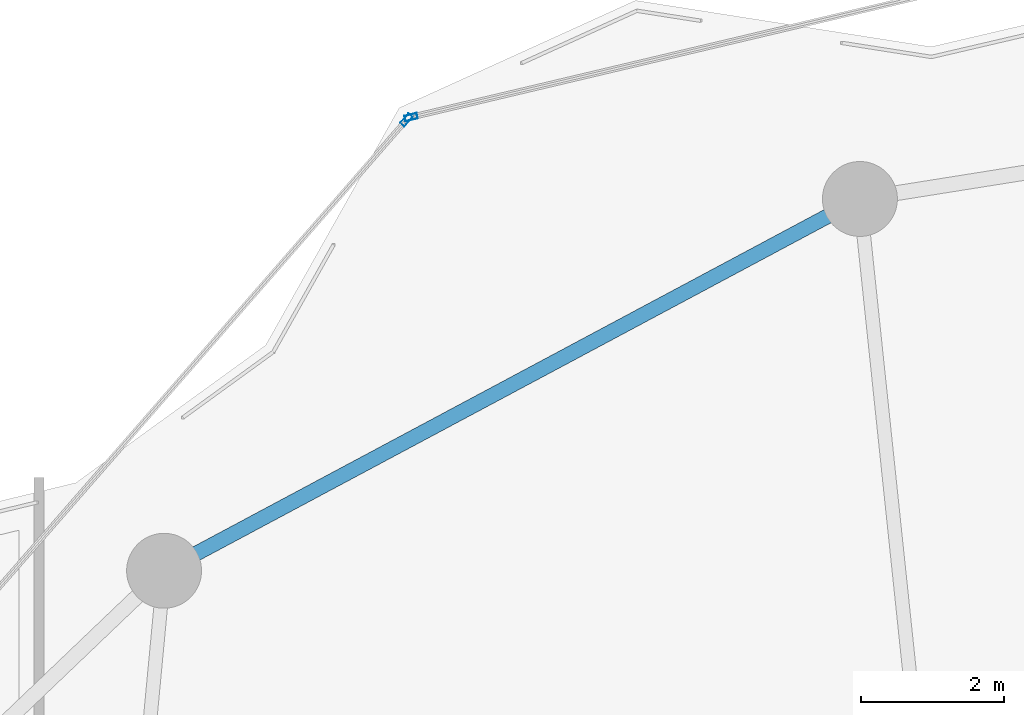
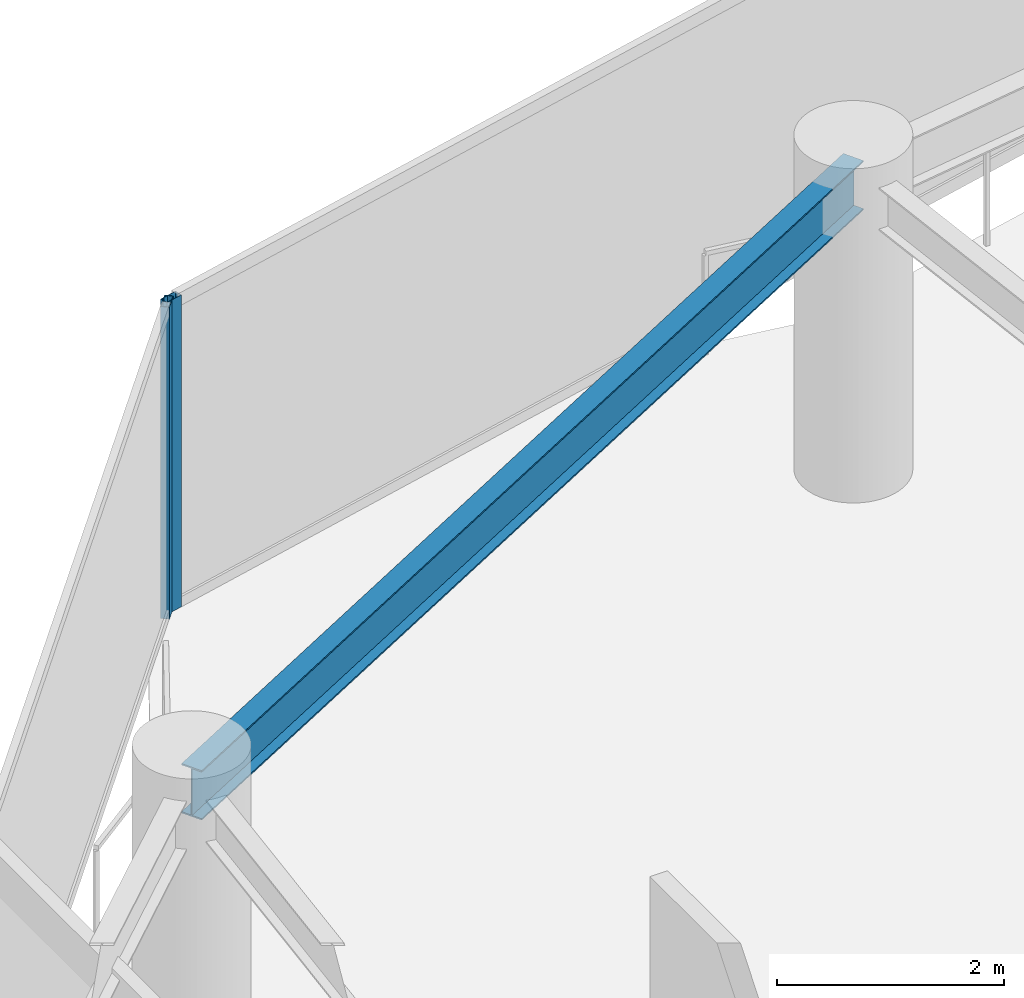
# One storey, part 17 of 29: 2 members, 1 beam, 2 elements without a shape of their own.
"""IFC4 building model written with IfcOpenShell, lengths in metres."""

from ifc_helpers import new_model, si_unit, direction, frame, origin, origin_2d, place, context, subcontext, project, spatial, hollow_rectangle, i_section, extrude, material, layer, layer_set, material_profile, profile_set, type_object, element, aggregate, save


model = new_model("IFC4")

# Units and contexts
model_context = context("Model", 3, precision=1e-05, world=origin(), true_north=direction((0.0, 1.0)))
body_context = subcontext(model_context, "Body", "Model", "MODEL_VIEW")
ifc_project = project(units=[si_unit("LENGTHUNIT", "METRE"), si_unit("AREAUNIT", "SQUARE_METRE"), si_unit("VOLUMEUNIT", "CUBIC_METRE"), si_unit("PLANEANGLEUNIT", "RADIAN"), si_unit("MASSUNIT", "GRAM", prefix="KILO")], contexts=[model_context])

# Site, building, storey
site_placement = place(None, origin())
site = spatial("IfcSite", under=ifc_project, at=site_placement, CompositionType="ELEMENT")
building_placement = place(site_placement, origin())
building = spatial("IfcBuilding", under=site, at=building_placement, Name="Kazevale Care Tower and Concert Hall", CompositionType="ELEMENT")
storey_placement = place(building_placement, frame((0.0, 0.0, 224.39990234375)))
storey = spatial("IfcBuildingStorey", under=building, at=storey_placement, Name="L59", CompositionType="ELEMENT", Elevation=224.39990234375)

# Curtain wall, member
ifc_material_1 = material(Name="Aluminium 6063-T6 and Low-E Glass", Category="aluminium")
ifc_layer_1 = layer(ifc_material_1, 0.179931640625)
ifc_layer_set_1 = layer_set([ifc_layer_1], Name="Aluminium 6063-T6 and Low-E Glass")
curtain_wall_type_1 = type_object("IfcCurtainWallType", Name="Convex Checkerboard Finned Curtain Wall CW-2", PredefinedType="NOTDEFINED", material=ifc_layer_set_1)
curtain_wall_1_placement = place(storey_placement, origin())
curtain_wall_1 = element("IfcCurtainWall", 1, at=curtain_wall_1_placement, inside=storey, type_object=curtain_wall_type_1, Name="cw:L59:f14", PredefinedType="NOTDEFINED")
ifc_material_2 = material(Name="Aluminium 6063-T6", Category="aluminium")
ifc_material_profile_1 = material_profile(ifc_material_2, hollow_rectangle(XDim=0.080078125, YDim=0.179931640625, WallThickness=0.0048828125, at=origin_2d()), Name="ALU80x180x5")
ifc_profile_set_1 = profile_set([ifc_material_profile_1], Name="Aluminium 6063-T6")
member_type_1 = type_object("IfcMemberType", Name="CW-2 Mullion ALU80x180x5", PredefinedType="MULLION", material=ifc_profile_set_1)
member_1_placement = place(storey_placement, frame((27.145751953125, 61.326904296875, 0.0), z_axis=(0.0, 0.0, 1.0), x_axis=(-0.753738225685, 0.657174776708, 0.0)))
member_1 = element("IfcMember", 2, at=member_1_placement, type_object=member_type_1, Name="CW-2 mullion 2", PredefinedType="MULLION", context=body_context, shape_type="SweptSolid", body=[
    extrude(hollow_rectangle(XDim=0.080078125, YDim=0.179931640625, WallThickness=0.0048828125, at=origin_2d()), origin(), (0.0, 0.0, 1.0), 3.360107421875),
])
aggregate(curtain_wall_1, [member_1])

ifc_layer_2 = layer(ifc_material_1, 0.179931640625)
ifc_layer_set_2 = layer_set([ifc_layer_2], Name="Aluminium 6063-T6 and Low-E Glass")
curtain_wall_type_2 = type_object("IfcCurtainWallType", Name="Waist & Upper Residential Curtain Wall CW-4", PredefinedType="NOTDEFINED", material=ifc_layer_set_2)
curtain_wall_2_placement = place(storey_placement, origin())
curtain_wall_2 = element("IfcCurtainWall", 3, at=curtain_wall_2_placement, inside=storey, type_object=curtain_wall_type_2, Name="cw:L59:f15", PredefinedType="NOTDEFINED")
ifc_material_profile_2 = material_profile(ifc_material_2, hollow_rectangle(XDim=0.080078125, YDim=0.179931640625, WallThickness=0.0048828125, at=origin_2d()), Name="ALU80x180x5")
ifc_profile_set_2 = profile_set([ifc_material_profile_2], Name="Aluminium 6063-T6")
member_type_2 = type_object("IfcMemberType", Name="CW-4 Mullion ALU80x180x5", PredefinedType="MULLION", material=ifc_profile_set_2)
member_2_placement = place(storey_placement, frame((27.2109375, 61.3662109375, 0.0), z_axis=(0.0, 0.0, 1.0), x_axis=(-0.230439111929, 0.973086746233, 0.0)))
member_2 = element("IfcMember", 4, at=member_2_placement, type_object=member_type_2, Name="CW-4 mullion 1", PredefinedType="MULLION", context=body_context, shape_type="SweptSolid", body=[
    extrude(hollow_rectangle(XDim=0.080078125, YDim=0.179931640625, WallThickness=0.0048828125, at=origin_2d()), origin(), (0.0, 0.0, 1.0), 3.360107421875),
])
aggregate(curtain_wall_2, [member_2])

# Beam
ifc_material_3 = material(Name="Steel ASTM A572 Gr 50", Category="steel")
ifc_material_profile_3 = material_profile(ifc_material_3, i_section(OverallWidth=0.208984375, OverallDepth=0.532958984375, WebThickness=0.01025390625, FlangeThickness=0.015625, at=origin_2d()), Name="W530x92")
ifc_profile_set_3 = profile_set([ifc_material_profile_3], Name="Steel ASTM A572 Gr 50")
beam_type = type_object("IfcBeamType", Name="Upper Ring Beam W530x92", PredefinedType="BEAM", material=ifc_profile_set_3)
beam_placement = place(storey_placement, frame((33.5, 60.219970703125, 3.093505859375), z_axis=(-0.881978519833, -0.471289603697, 0.0), x_axis=(0.471289603697, -0.881978519833, 0.0)))
element("IfcBeam", 5, at=beam_placement, inside=storey, type_object=beam_type, Name="beam:L59:ring:06", PredefinedType="BEAM", context=body_context, shape_type="SweptSolid", body=[
    extrude(i_section(OverallWidth=0.208984375, OverallDepth=0.532958984375, WebThickness=0.01025390625, FlangeThickness=0.015625, at=origin_2d()), origin(), (0.0, 0.0, 1.0), 11.0546875),
])

save(model, "model.ifc")
